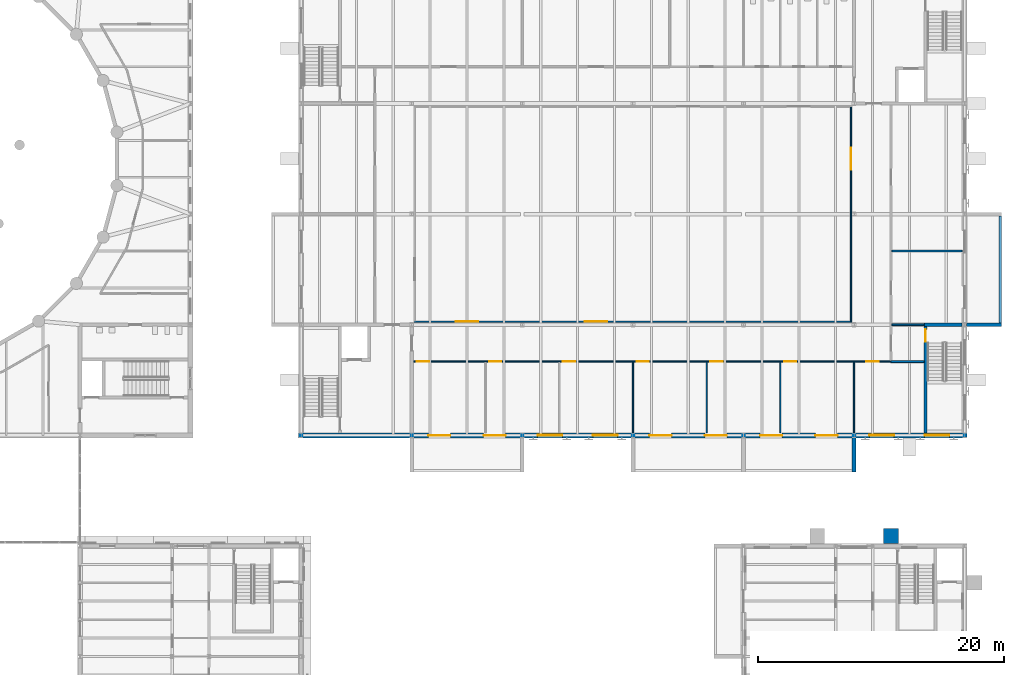
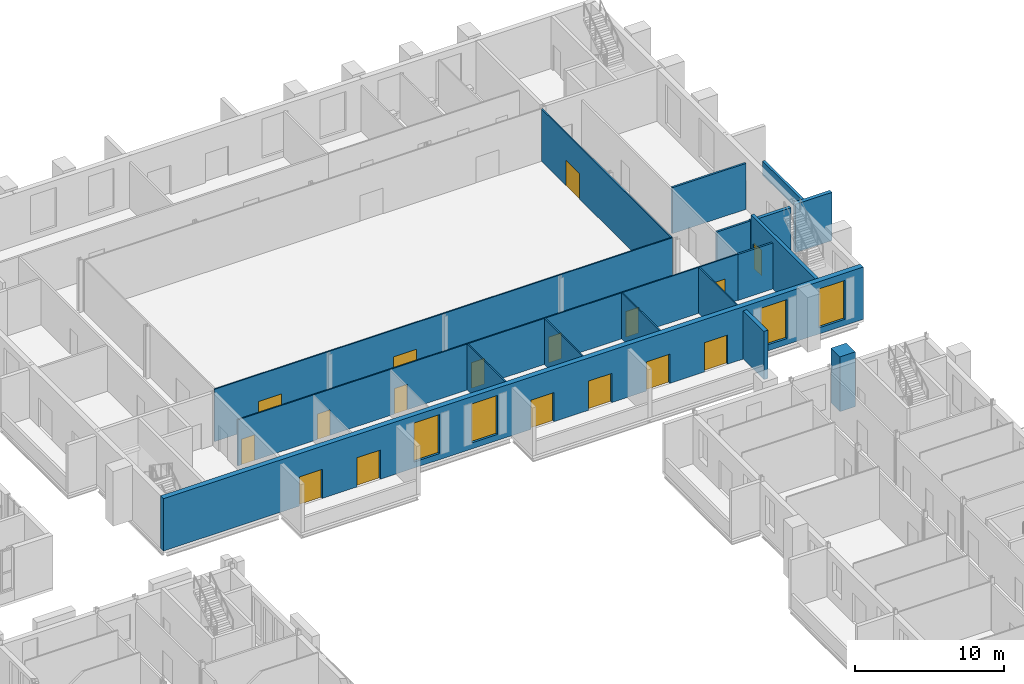
# One storey, part 91 of 134: 17 doors, 17 walls, 4 windows, 21 openings.
"""IFC4 building model written with IfcOpenShell, lengths in metres."""

from ifc_helpers import new_model, si_unit, direction, frame, frame_2d, origin, place, context, subcontext, project, spatial, rectangle, extrude, material, layer, layer_set, type_object, element, fill, save


model = new_model("IFC4")

# Units and contexts
model_context = context("Model", 3, precision=1e-05, world=origin(), true_north=direction((0.0, 1.0)))
body_context = subcontext(model_context, "Body", "Model", "MODEL_VIEW")
ifc_project = project(units=[si_unit("LENGTHUNIT", "METRE"), si_unit("AREAUNIT", "SQUARE_METRE"), si_unit("VOLUMEUNIT", "CUBIC_METRE"), si_unit("PLANEANGLEUNIT", "RADIAN"), si_unit("MASSUNIT", "GRAM", prefix="KILO")], contexts=[model_context])

# Site, building, storey
site_placement = place(None, origin())
site = spatial("IfcSite", under=ifc_project, at=site_placement, CompositionType="ELEMENT")
building_placement = place(site_placement, origin())
building = spatial("IfcBuilding", under=site, at=building_placement, Name="Golden Quay Civic Hall", CompositionType="ELEMENT")
storey_placement = place(building_placement, frame((0.0, 0.0, 5.39990234375)))
storey = spatial("IfcBuildingStorey", under=building, at=storey_placement, Name="L01", CompositionType="ELEMENT", Elevation=5.39990234375)

# Wall
ifc_material_1 = material(Name="Brick, dark clay facing", Category="masonry")
ifc_layer_1 = layer(ifc_material_1, 0.199951171875)
ifc_layer_set_1 = layer_set([ifc_layer_1], Name="Brick balustrade wall 200")
wall_type_1 = type_object("IfcWallType", Name="Brick balustrade wall 200", PredefinedType="STANDARD", material=ifc_layer_set_1)
wall_1_placement = place(storey_placement, frame((173.8798828125, 72.14990234375, 0.0), z_axis=(0.0, 0.0, 1.0), x_axis=(0.0, 1.0, 0.0)))
element("IfcWall", 1, at=wall_1_placement, inside=storey, type_object=wall_type_1, Name="Brick balustrade wall 200 L01 10", PredefinedType="STANDARD", context=body_context, shape_type="SweptSolid", body=[
    extrude(rectangle(XDim=8.7001953125, YDim=0.199951171875, at=frame_2d((4.35009765625, 0.0))), origin(), (0.0, 0.0, 1.0), 1.150146484375),
])

# Wall, openings, doors, windows
ifc_material_2 = material(Name="Brick, dark clay facing", Category="masonry")
ifc_layer_2 = layer(ifc_material_2, 0.39990234375)
ifc_layer_set_2 = layer_set([ifc_layer_2], Name="Brick external wall 400 fire EI 120")
wall_type_2 = type_object("IfcWallType", Name="Brick external wall 400 fire EI 120", PredefinedType="STANDARD", material=ifc_layer_set_2)
wall_2_placement = place(storey_placement, frame((116.800048828125, 63.0, 0.0), z_axis=(0.0, 0.0, 1.0), x_axis=(1.0, 0.0, 0.0)))
wall_2 = element("IfcWall", 2, at=wall_2_placement, inside=storey, type_object=wall_type_2, Name="L01 external wall S", PredefinedType="STANDARD", context=body_context, shape_type="SweptSolid", body=[
    extrude(rectangle(XDim=54.39990234375, YDim=0.39990234375, at=frame_2d((27.199951171875, 0.0))), origin(), (0.0, 0.0, 1.0), 4.300048828125),
])
opening_1_placement = place(wall_2_placement, frame((19.449951171875, 0.0, 0.5)))
opening_1 = element("IfcOpeningElement", 3, at=opening_1_placement, cuts=wall_2, Name="Opening WN19", PredefinedType="OPENING", context=body_context, shape_type="SweptSolid", body=[
    extrude(rectangle(XDim=2.0, YDim=3.199951171875, at=frame_2d((1.0, 1.60009765625))), frame((0.0, 0.2099609375, 0.0), z_axis=(0.0, -1.0, 0.0), x_axis=(1.0, 0.0, 0.0)), (0.0, 0.0, 1.0), 0.419921875),
])
opening_2_placement = place(wall_2_placement, frame((23.949951171875, 0.0, 0.5)))
opening_2 = element("IfcOpeningElement", 4, at=opening_2_placement, cuts=wall_2, Name="Opening WN19", PredefinedType="OPENING", context=body_context, shape_type="SweptSolid", body=[
    extrude(rectangle(XDim=2.0, YDim=3.199951171875, at=frame_2d((1.0, 1.60009765625))), frame((0.0, 0.2099609375, 0.0), z_axis=(0.0, -1.0, 0.0), x_axis=(1.0, 0.0, 0.0)), (0.0, 0.0, 1.0), 0.419921875),
])
opening_3_placement = place(wall_2_placement, frame((46.449951171875, 0.0, 0.5)))
opening_3 = element("IfcOpeningElement", 5, at=opening_3_placement, cuts=wall_2, Name="Opening WN19", PredefinedType="OPENING", context=body_context, shape_type="SweptSolid", body=[
    extrude(rectangle(XDim=2.0, YDim=3.199951171875, at=frame_2d((1.0, 1.60009765625))), frame((0.0, 0.2099609375, 0.0), z_axis=(0.0, -1.0, 0.0), x_axis=(1.0, 0.0, 0.0)), (0.0, 0.0, 1.0), 0.419921875),
])
opening_4_placement = place(wall_2_placement, frame((50.949951171875, 0.0, 0.5)))
opening_4 = element("IfcOpeningElement", 6, at=opening_4_placement, cuts=wall_2, Name="Opening WN19", PredefinedType="OPENING", context=body_context, shape_type="SweptSolid", body=[
    extrude(rectangle(XDim=2.0, YDim=3.199951171875, at=frame_2d((1.0, 1.60009765625))), frame((0.0, 0.2099609375, 0.0), z_axis=(0.0, -1.0, 0.0), x_axis=(1.0, 0.0, 0.0)), (0.0, 0.0, 1.0), 0.419921875),
])
opening_5_placement = place(wall_2_placement, frame((10.550048828125, 0.0, 0.0)))
opening_5 = element("IfcOpeningElement", 7, at=opening_5_placement, cuts=wall_2, Name="Opening L01-D012", PredefinedType="OPENING", context=body_context, shape_type="SweptSolid", body=[
    extrude(rectangle(XDim=1.800048828125, YDim=2.39990234375, at=frame_2d((0.89990234375, 1.199951171875))), frame((0.0, 0.2099609375, 0.0), z_axis=(0.0, -1.0, 0.0), x_axis=(1.0, 0.0, 0.0)), (0.0, 0.0, 1.0), 0.419921875),
])
opening_6_placement = place(wall_2_placement, frame((15.050048828125, 0.0, 0.0)))
opening_6 = element("IfcOpeningElement", 8, at=opening_6_placement, cuts=wall_2, Name="Opening L01-D013", PredefinedType="OPENING", context=body_context, shape_type="SweptSolid", body=[
    extrude(rectangle(XDim=1.800048828125, YDim=2.39990234375, at=frame_2d((0.89990234375, 1.199951171875))), frame((0.0, 0.2099609375, 0.0), z_axis=(0.0, -1.0, 0.0), x_axis=(1.0, 0.0, 0.0)), (0.0, 0.0, 1.0), 0.419921875),
])
opening_7_placement = place(wall_2_placement, frame((28.550048828125, 0.0, 0.0)))
opening_7 = element("IfcOpeningElement", 9, at=opening_7_placement, cuts=wall_2, Name="Opening L01-D014", PredefinedType="OPENING", context=body_context, shape_type="SweptSolid", body=[
    extrude(rectangle(XDim=1.800048828125, YDim=2.39990234375, at=frame_2d((0.89990234375, 1.199951171875))), frame((0.0, 0.2099609375, 0.0), z_axis=(0.0, -1.0, 0.0), x_axis=(1.0, 0.0, 0.0)), (0.0, 0.0, 1.0), 0.419921875),
])
opening_8_placement = place(wall_2_placement, frame((33.050048828125, 0.0, 0.0)))
opening_8 = element("IfcOpeningElement", 10, at=opening_8_placement, cuts=wall_2, Name="Opening L01-D015", PredefinedType="OPENING", context=body_context, shape_type="SweptSolid", body=[
    extrude(rectangle(XDim=1.800048828125, YDim=2.39990234375, at=frame_2d((0.89990234375, 1.199951171875))), frame((0.0, 0.2099609375, 0.0), z_axis=(0.0, -1.0, 0.0), x_axis=(1.0, 0.0, 0.0)), (0.0, 0.0, 1.0), 0.419921875),
])
opening_9_placement = place(wall_2_placement, frame((37.550048828125, 0.0, 0.0)))
opening_9 = element("IfcOpeningElement", 11, at=opening_9_placement, cuts=wall_2, Name="Opening L01-D016", PredefinedType="OPENING", context=body_context, shape_type="SweptSolid", body=[
    extrude(rectangle(XDim=1.800048828125, YDim=2.39990234375, at=frame_2d((0.89990234375, 1.199951171875))), frame((0.0, 0.2099609375, 0.0), z_axis=(0.0, -1.0, 0.0), x_axis=(1.0, 0.0, 0.0)), (0.0, 0.0, 1.0), 0.419921875),
])
opening_10_placement = place(wall_2_placement, frame((42.050048828125, 0.0, 0.0)))
opening_10 = element("IfcOpeningElement", 12, at=opening_10_placement, cuts=wall_2, Name="Opening L01-D017", PredefinedType="OPENING", context=body_context, shape_type="SweptSolid", body=[
    extrude(rectangle(XDim=1.800048828125, YDim=2.39990234375, at=frame_2d((0.89990234375, 1.199951171875))), frame((0.0, 0.2099609375, 0.0), z_axis=(0.0, -1.0, 0.0), x_axis=(1.0, 0.0, 0.0)), (0.0, 0.0, 1.0), 0.419921875),
])
ifc_material_3 = material(Name="Aluminium frame, glazed", Category="aluminium")
door_type_1 = type_object("IfcDoorType", Name="Glazed double terrace door 1800 x 2400", OperationType="DOUBLE_DOOR_SINGLE_SWING", PredefinedType="DOOR", material=ifc_material_3)
door_1_placement = place(opening_5_placement, frame((1.800048828125, 0.0, 0.0), z_axis=(0.0, 0.0, 1.0), x_axis=(-1.0, 0.0, 0.0)))
door_1 = element("IfcDoor", 13, at=door_1_placement, inside=storey, type_object=door_type_1, Name="Loggia door L01 S112", OperationType="DOUBLE_DOOR_SINGLE_SWING", OverallHeight=2.39990234375, OverallWidth=1.800048828125, PredefinedType="DOOR", context=body_context, shape_type="SweptSolid", body=[
    extrude(rectangle(XDim=1.800048828125, YDim=2.39990234375, at=frame_2d((0.900146484375, 1.199951171875))), frame((0.0, 0.025146484375, 0.0), z_axis=(0.0, -1.0, 0.0), x_axis=(1.0, 0.0, 0.0)), (0.0, 0.0, 1.0), 0.050048828125),
])
fill(opening_5, door_1)
door_2_placement = place(opening_6_placement, frame((1.800048828125, 0.0, 0.0), z_axis=(0.0, 0.0, 1.0), x_axis=(-1.0, 0.0, 0.0)))
door_2 = element("IfcDoor", 14, at=door_2_placement, inside=storey, type_object=door_type_1, Name="Loggia door L01 S157", OperationType="DOUBLE_DOOR_SINGLE_SWING", OverallHeight=2.39990234375, OverallWidth=1.800048828125, PredefinedType="DOOR", context=body_context, shape_type="SweptSolid", body=[
    extrude(rectangle(XDim=1.800048828125, YDim=2.39990234375, at=frame_2d((0.900146484375, 1.199951171875))), frame((0.0, 0.025146484375, 0.0), z_axis=(0.0, -1.0, 0.0), x_axis=(1.0, 0.0, 0.0)), (0.0, 0.0, 1.0), 0.050048828125),
])
fill(opening_6, door_2)
door_3_placement = place(opening_7_placement, frame((1.800048828125, 0.0, 0.0), z_axis=(0.0, 0.0, 1.0), x_axis=(-1.0, 0.0, 0.0)))
door_3 = element("IfcDoor", 15, at=door_3_placement, inside=storey, type_object=door_type_1, Name="Loggia door L01 S292", OperationType="DOUBLE_DOOR_SINGLE_SWING", OverallHeight=2.39990234375, OverallWidth=1.800048828125, PredefinedType="DOOR", context=body_context, shape_type="SweptSolid", body=[
    extrude(rectangle(XDim=1.800048828125, YDim=2.39990234375, at=frame_2d((0.900146484375, 1.199951171875))), frame((0.0, 0.025146484375, 0.0), z_axis=(0.0, -1.0, 0.0), x_axis=(1.0, 0.0, 0.0)), (0.0, 0.0, 1.0), 0.050048828125),
])
fill(opening_7, door_3)
door_4_placement = place(opening_8_placement, frame((1.800048828125, 0.0, 0.0), z_axis=(0.0, 0.0, 1.0), x_axis=(-1.0, 0.0, 0.0)))
door_4 = element("IfcDoor", 16, at=door_4_placement, inside=storey, type_object=door_type_1, Name="Loggia door L01 S337", OperationType="DOUBLE_DOOR_SINGLE_SWING", OverallHeight=2.39990234375, OverallWidth=1.800048828125, PredefinedType="DOOR", context=body_context, shape_type="SweptSolid", body=[
    extrude(rectangle(XDim=1.800048828125, YDim=2.39990234375, at=frame_2d((0.900146484375, 1.199951171875))), frame((0.0, 0.025146484375, 0.0), z_axis=(0.0, -1.0, 0.0), x_axis=(1.0, 0.0, 0.0)), (0.0, 0.0, 1.0), 0.050048828125),
])
fill(opening_8, door_4)
door_5_placement = place(opening_9_placement, frame((1.800048828125, 0.0, 0.0), z_axis=(0.0, 0.0, 1.0), x_axis=(-1.0, 0.0, 0.0)))
door_5 = element("IfcDoor", 17, at=door_5_placement, inside=storey, type_object=door_type_1, Name="Loggia door L01 S382", OperationType="DOUBLE_DOOR_SINGLE_SWING", OverallHeight=2.39990234375, OverallWidth=1.800048828125, PredefinedType="DOOR", context=body_context, shape_type="SweptSolid", body=[
    extrude(rectangle(XDim=1.800048828125, YDim=2.39990234375, at=frame_2d((0.900146484375, 1.199951171875))), frame((0.0, 0.025146484375, 0.0), z_axis=(0.0, -1.0, 0.0), x_axis=(1.0, 0.0, 0.0)), (0.0, 0.0, 1.0), 0.050048828125),
])
fill(opening_9, door_5)
door_6_placement = place(opening_10_placement, frame((1.800048828125, 0.0, 0.0), z_axis=(0.0, 0.0, 1.0), x_axis=(-1.0, 0.0, 0.0)))
door_6 = element("IfcDoor", 18, at=door_6_placement, inside=storey, type_object=door_type_1, Name="Loggia door L01 S427", OperationType="DOUBLE_DOOR_SINGLE_SWING", OverallHeight=2.39990234375, OverallWidth=1.800048828125, PredefinedType="DOOR", context=body_context, shape_type="SweptSolid", body=[
    extrude(rectangle(XDim=1.800048828125, YDim=2.39990234375, at=frame_2d((0.900146484375, 1.199951171875))), frame((0.0, 0.025146484375, 0.0), z_axis=(0.0, -1.0, 0.0), x_axis=(1.0, 0.0, 0.0)), (0.0, 0.0, 1.0), 0.050048828125),
])
fill(opening_10, door_6)
ifc_material_4 = material(Name="Timber", Category="wood")
window_type = type_object("IfcWindowType", Name="Tall timber window 2000 x 3200", PartitioningType="SINGLE_PANEL", PredefinedType="WINDOW", material=ifc_material_4)
window_1_placement = place(opening_1_placement, origin())
window_1 = element("IfcWindow", 19, at=window_1_placement, inside=storey, type_object=window_type, Name="L01 window S202", OverallHeight=3.199951171875, OverallWidth=2.0, PartitioningType="SINGLE_PANEL", PredefinedType="WINDOW", context=body_context, shape_type="SweptSolid", body=[
    extrude(rectangle(XDim=2.0, YDim=3.199951171875, at=frame_2d((1.0, 1.60009765625))), frame((0.0, 0.030029296875, 0.0), z_axis=(0.0, -1.0, 0.0), x_axis=(1.0, 0.0, 0.0)), (0.0, 0.0, 1.0), 0.06005859375),
])
fill(opening_1, window_1)
window_2_placement = place(opening_2_placement, origin())
window_2 = element("IfcWindow", 20, at=window_2_placement, inside=storey, type_object=window_type, Name="L01 window S247", OverallHeight=3.199951171875, OverallWidth=2.0, PartitioningType="SINGLE_PANEL", PredefinedType="WINDOW", context=body_context, shape_type="SweptSolid", body=[
    extrude(rectangle(XDim=2.0, YDim=3.199951171875, at=frame_2d((1.0, 1.60009765625))), frame((0.0, 0.030029296875, 0.0), z_axis=(0.0, -1.0, 0.0), x_axis=(1.0, 0.0, 0.0)), (0.0, 0.0, 1.0), 0.06005859375),
])
fill(opening_2, window_2)
window_3_placement = place(opening_3_placement, origin())
window_3 = element("IfcWindow", 21, at=window_3_placement, inside=storey, type_object=window_type, Name="L01 window S472", OverallHeight=3.199951171875, OverallWidth=2.0, PartitioningType="SINGLE_PANEL", PredefinedType="WINDOW", context=body_context, shape_type="SweptSolid", body=[
    extrude(rectangle(XDim=2.0, YDim=3.199951171875, at=frame_2d((1.0, 1.60009765625))), frame((0.0, 0.030029296875, 0.0), z_axis=(0.0, -1.0, 0.0), x_axis=(1.0, 0.0, 0.0)), (0.0, 0.0, 1.0), 0.06005859375),
])
fill(opening_3, window_3)
window_4_placement = place(opening_4_placement, origin())
window_4 = element("IfcWindow", 22, at=window_4_placement, inside=storey, type_object=window_type, Name="L01 window S517", OverallHeight=3.199951171875, OverallWidth=2.0, PartitioningType="SINGLE_PANEL", PredefinedType="WINDOW", context=body_context, shape_type="SweptSolid", body=[
    extrude(rectangle(XDim=2.0, YDim=3.199951171875, at=frame_2d((1.0, 1.60009765625))), frame((0.0, 0.030029296875, 0.0), z_axis=(0.0, -1.0, 0.0), x_axis=(1.0, 0.0, 0.0)), (0.0, 0.0, 1.0), 0.06005859375),
])
fill(opening_4, window_4)

# Walls
ifc_material_5 = material(Name="Brick, dark clay facing", Category="masonry")
ifc_layer_3 = layer(ifc_material_5, 0.300048828125)
ifc_layer_set_3 = layer_set([ifc_layer_3], Name="Brick loggia wall 300")
wall_type_3 = type_object("IfcWallType", Name="Brick loggia wall 300", PredefinedType="STANDARD", material=ifc_layer_set_3)
wall_3_placement = place(storey_placement, frame((162.0, 62.820068359375, 0.0), z_axis=(0.0, 0.0, 1.0), x_axis=(0.0, -1.0, 0.0)))
element("IfcWall", 23, at=wall_3_placement, inside=storey, type_object=wall_type_3, Name="Brick loggia wall 300 L01 15", PredefinedType="STANDARD", context=body_context, shape_type="SweptSolid", body=[
    extrude(rectangle(XDim=2.820068359375, YDim=0.300048828125, at=frame_2d((1.41015625, 0.0))), origin(), (0.0, 0.0, 1.0), 3.97021484375),
])
wall_4_placement = place(storey_placement, frame((171.14990234375, 72.0, 0.0), z_axis=(0.0, 0.0, 1.0), x_axis=(1.0, 0.0, 0.0)))
element("IfcWall", 24, at=wall_4_placement, inside=storey, type_object=wall_type_3, Name="Brick loggia wall 300 L01 16", PredefinedType="STANDARD", context=body_context, shape_type="SweptSolid", body=[
    extrude(rectangle(XDim=2.85009765625, YDim=0.300048828125, at=frame_2d((1.425048828125, 0.0))), origin(), (0.0, 0.0, 1.0), 3.97021484375),
])
ifc_material_6 = material(Name="Brick, dark clay facing", Category="masonry")
ifc_layer_4 = layer(ifc_material_6, 1.199951171875)
ifc_layer_set_4 = layer_set([ifc_layer_4], Name="Brick pilaster 1200 x 1200")
wall_type_4 = type_object("IfcWallType", Name="Brick pilaster 1200 x 1200", PredefinedType="STANDARD", material=ifc_layer_set_4)
wall_5_placement = place(storey_placement, frame((164.39990234375, 54.800048828125, 0.0), z_axis=(0.0, 0.0, 1.0), x_axis=(1.0, 0.0, 0.0)))
element("IfcWall", 25, at=wall_5_placement, inside=storey, type_object=wall_type_4, Name="Brick pilaster 1200 x 1200 L01 11", PredefinedType="STANDARD", context=body_context, shape_type="SweptSolid", body=[
    extrude(rectangle(XDim=1.2001953125, YDim=1.199951171875, at=frame_2d((0.60009765625, 0.0))), origin(), (0.0, 0.0, 1.0), 4.5),
])

# Wall, opening, door
ifc_material_7 = material(Name="Concrete C40/50", Category="concrete")
ifc_layer_5 = layer(ifc_material_7, 0.25)
ifc_layer_set_5 = layer_set([ifc_layer_5], Name="Concrete core wall 250, Concrete C40/50")
wall_type_5 = type_object("IfcWallType", Name="Concrete core wall 250", PredefinedType="SHEAR", material=ifc_layer_set_5)
wall_6_placement = place(storey_placement, frame((167.824951171875, 71.875, 0.0), z_axis=(0.0, 0.0, 1.0), x_axis=(0.0, -1.0, 0.0)))
wall_6 = element("IfcWall", 26, at=wall_6_placement, inside=storey, type_object=wall_type_5, Name="L01 core wall S stair east", PredefinedType="SHEAR", context=body_context, shape_type="SweptSolid", body=[
    extrude(rectangle(XDim=8.675048828125, YDim=0.25, at=frame_2d((4.33740234375, 0.0))), origin(), (0.0, 0.0, 1.0), 4.300048828125),
])
opening_11_placement = place(wall_6_placement, frame((0.25, 0.0, 0.0)))
opening_11 = element("IfcOpeningElement", 27, at=opening_11_placement, cuts=wall_6, Name="Opening L01-D223", PredefinedType="OPENING", context=body_context, shape_type="SweptSolid", body=[
    extrude(rectangle(XDim=1.0, YDim=2.10009765625, at=frame_2d((0.5, 1.050048828125))), frame((0.0, 0.135009765625, 0.0), z_axis=(0.0, -1.0, 0.0), x_axis=(1.0, 0.0, 0.0)), (0.0, 0.0, 1.0), 0.27001953125),
])
ifc_material_8 = material(Name="Steel", Category="steel")
door_type_2 = type_object("IfcDoorType", Name="Steel fire door FD60 1000 x 2100", OperationType="SINGLE_SWING_LEFT", PredefinedType="DOOR", material=ifc_material_8)
door_7_placement = place(opening_11_placement, frame((1.0, 0.0, 0.0), z_axis=(0.0, 0.0, 1.0), x_axis=(-1.0, 0.0, 0.0)))
door_7 = element("IfcDoor", 28, at=door_7_placement, inside=storey, type_object=door_type_2, Name="Stair door LB-S", OperationType="SINGLE_SWING_RIGHT", OverallHeight=2.10009765625, OverallWidth=1.0, PredefinedType="DOOR", context=body_context, shape_type="SweptSolid", body=[
    extrude(rectangle(XDim=1.0, YDim=2.10009765625, at=frame_2d((0.5, 1.050048828125))), frame((0.0, 0.025146484375, 0.0), z_axis=(0.0, -1.0, 0.0), x_axis=(1.0, 0.0, 0.0)), (0.0, 0.0, 1.0), 0.050048828125),
])
fill(opening_11, door_7)

# Wall
wall_7_placement = place(storey_placement, frame((170.800048828125, 72.0, 0.0), z_axis=(0.0, 0.0, 1.0), x_axis=(-1.0, 0.0, 0.0)))
element("IfcWall", 29, at=wall_7_placement, inside=storey, type_object=wall_type_5, Name="L01 core wall S stair south", PredefinedType="SHEAR", context=body_context, shape_type="SweptSolid", body=[
    extrude(rectangle(XDim=3.10009765625, YDim=0.25, at=frame_2d((1.550048828125, 0.0))), origin(), (0.0, 0.0, 1.0), 3.800048828125),
])

# Wall, openings, doors
ifc_material_9 = material(Name="Plasterboard on steel studs", Category="steel")
ifc_layer_6 = layer(ifc_material_9, 0.10009765625)
ifc_layer_set_6 = layer_set([ifc_layer_6], Name="Partition 100 stud")
wall_type_6 = type_object("IfcWallType", Name="Partition 100 stud", PredefinedType="PARTITIONING", material=ifc_layer_set_6)
wall_8_placement = place(storey_placement, frame((126.125, 69.0, 0.0), z_axis=(0.0, 0.0, 1.0), x_axis=(1.0, 0.0, 0.0)))
wall_8 = element("IfcWall", 30, at=wall_8_placement, inside=storey, type_object=wall_type_6, Name="L01 partition H6-9.12", PredefinedType="PARTITIONING", context=body_context, shape_type="SweptSolid", body=[
    extrude(rectangle(XDim=38.875, YDim=0.10009765625, at=frame_2d((19.4375, 0.0))), origin(), (0.0, 0.0, 1.0), 3.780029296875),
])
opening_12_placement = place(wall_8_placement, frame((0.300048828125, 0.0, 0.0)))
opening_12 = element("IfcOpeningElement", 31, at=opening_12_placement, cuts=wall_8, Name="Opening L01-D189", PredefinedType="OPENING", context=body_context, shape_type="SweptSolid", body=[
    extrude(rectangle(XDim=1.0, YDim=2.10009765625, at=frame_2d((0.5, 1.050048828125))), frame((0.0, 0.06005859375, 0.0), z_axis=(0.0, -1.0, 0.0), x_axis=(1.0, 0.0, 0.0)), (0.0, 0.0, 1.0), 0.1201171875),
])
opening_13_placement = place(wall_8_placement, frame((6.175048828125, 0.0, 0.0)))
opening_13 = element("IfcOpeningElement", 32, at=opening_13_placement, cuts=wall_8, Name="Opening L01-D190", PredefinedType="OPENING", context=body_context, shape_type="SweptSolid", body=[
    extrude(rectangle(XDim=1.0, YDim=2.10009765625, at=frame_2d((0.5, 1.050048828125))), frame((0.0, 0.06005859375, 0.0), z_axis=(0.0, -1.0, 0.0), x_axis=(1.0, 0.0, 0.0)), (0.0, 0.0, 1.0), 0.1201171875),
])
opening_14_placement = place(wall_8_placement, frame((12.175048828125, 0.0, 0.0)))
opening_14 = element("IfcOpeningElement", 33, at=opening_14_placement, cuts=wall_8, Name="Opening L01-D191", PredefinedType="OPENING", context=body_context, shape_type="SweptSolid", body=[
    extrude(rectangle(XDim=1.0, YDim=2.10009765625, at=frame_2d((0.5, 1.050048828125))), frame((0.0, 0.06005859375, 0.0), z_axis=(0.0, -1.0, 0.0), x_axis=(1.0, 0.0, 0.0)), (0.0, 0.0, 1.0), 0.1201171875),
])
opening_15_placement = place(wall_8_placement, frame((18.175048828125, 0.0, 0.0)))
opening_15 = element("IfcOpeningElement", 34, at=opening_15_placement, cuts=wall_8, Name="Opening L01-D192", PredefinedType="OPENING", context=body_context, shape_type="SweptSolid", body=[
    extrude(rectangle(XDim=1.0, YDim=2.10009765625, at=frame_2d((0.5, 1.050048828125))), frame((0.0, 0.06005859375, 0.0), z_axis=(0.0, -1.0, 0.0), x_axis=(1.0, 0.0, 0.0)), (0.0, 0.0, 1.0), 0.1201171875),
])
opening_16_placement = place(wall_8_placement, frame((24.175048828125, 0.0, 0.0)))
opening_16 = element("IfcOpeningElement", 35, at=opening_16_placement, cuts=wall_8, Name="Opening L01-D193", PredefinedType="OPENING", context=body_context, shape_type="SweptSolid", body=[
    extrude(rectangle(XDim=1.0, YDim=2.10009765625, at=frame_2d((0.5, 1.050048828125))), frame((0.0, 0.06005859375, 0.0), z_axis=(0.0, -1.0, 0.0), x_axis=(1.0, 0.0, 0.0)), (0.0, 0.0, 1.0), 0.1201171875),
])
opening_17_placement = place(wall_8_placement, frame((30.175048828125, 0.0, 0.0)))
opening_17 = element("IfcOpeningElement", 36, at=opening_17_placement, cuts=wall_8, Name="Opening L01-D194", PredefinedType="OPENING", context=body_context, shape_type="SweptSolid", body=[
    extrude(rectangle(XDim=1.0, YDim=2.10009765625, at=frame_2d((0.5, 1.050048828125))), frame((0.0, 0.06005859375, 0.0), z_axis=(0.0, -1.0, 0.0), x_axis=(1.0, 0.0, 0.0)), (0.0, 0.0, 1.0), 0.1201171875),
])
opening_18_placement = place(wall_8_placement, frame((36.875, 0.0, 0.0)))
opening_18 = element("IfcOpeningElement", 37, at=opening_18_placement, cuts=wall_8, Name="Opening L01-D195", PredefinedType="OPENING", context=body_context, shape_type="SweptSolid", body=[
    extrude(rectangle(XDim=1.0, YDim=2.10009765625, at=frame_2d((0.5, 1.050048828125))), frame((0.0, 0.06005859375, 0.0), z_axis=(0.0, -1.0, 0.0), x_axis=(1.0, 0.0, 0.0)), (0.0, 0.0, 1.0), 0.1201171875),
])
ifc_material_10 = material(Name="Timber", Category="wood")
door_type_3 = type_object("IfcDoorType", Name="Timber door 1000 x 2100", OperationType="SINGLE_SWING_LEFT", PredefinedType="DOOR", material=ifc_material_10)
door_8_placement = place(opening_12_placement, frame((1.0, 0.0, 0.0), z_axis=(0.0, 0.0, 1.0), x_axis=(-1.0, 0.0, 0.0)))
door_8 = element("IfcDoor", 38, at=door_8_placement, inside=storey, type_object=door_type_3, Name="Study Room door", OperationType="SINGLE_SWING_RIGHT", OverallHeight=2.10009765625, OverallWidth=1.0, PredefinedType="DOOR", context=body_context, shape_type="SweptSolid", body=[
    extrude(rectangle(XDim=1.0, YDim=2.10009765625, at=frame_2d((0.5, 1.050048828125))), frame((0.0, 0.025146484375, 0.0), z_axis=(0.0, -1.0, 0.0), x_axis=(1.0, 0.0, 0.0)), (0.0, 0.0, 1.0), 0.050048828125),
])
fill(opening_12, door_8)
door_9_placement = place(opening_13_placement, frame((1.0, 0.0, 0.0), z_axis=(0.0, 0.0, 1.0), x_axis=(-1.0, 0.0, 0.0)))
door_9 = element("IfcDoor", 39, at=door_9_placement, inside=storey, type_object=door_type_3, Name="Study Room door", OperationType="SINGLE_SWING_RIGHT", OverallHeight=2.10009765625, OverallWidth=1.0, PredefinedType="DOOR", context=body_context, shape_type="SweptSolid", body=[
    extrude(rectangle(XDim=1.0, YDim=2.10009765625, at=frame_2d((0.5, 1.050048828125))), frame((0.0, 0.025146484375, 0.0), z_axis=(0.0, -1.0, 0.0), x_axis=(1.0, 0.0, 0.0)), (0.0, 0.0, 1.0), 0.050048828125),
])
fill(opening_13, door_9)
door_10_placement = place(opening_14_placement, frame((1.0, 0.0, 0.0), z_axis=(0.0, 0.0, 1.0), x_axis=(-1.0, 0.0, 0.0)))
door_10 = element("IfcDoor", 40, at=door_10_placement, inside=storey, type_object=door_type_3, Name="Study Room door", OperationType="SINGLE_SWING_RIGHT", OverallHeight=2.10009765625, OverallWidth=1.0, PredefinedType="DOOR", context=body_context, shape_type="SweptSolid", body=[
    extrude(rectangle(XDim=1.0, YDim=2.10009765625, at=frame_2d((0.5, 1.050048828125))), frame((0.0, 0.025146484375, 0.0), z_axis=(0.0, -1.0, 0.0), x_axis=(1.0, 0.0, 0.0)), (0.0, 0.0, 1.0), 0.050048828125),
])
fill(opening_14, door_10)
door_11_placement = place(opening_15_placement, frame((1.0, 0.0, 0.0), z_axis=(0.0, 0.0, 1.0), x_axis=(-1.0, 0.0, 0.0)))
door_11 = element("IfcDoor", 41, at=door_11_placement, inside=storey, type_object=door_type_3, Name="Study Room door", OperationType="SINGLE_SWING_RIGHT", OverallHeight=2.10009765625, OverallWidth=1.0, PredefinedType="DOOR", context=body_context, shape_type="SweptSolid", body=[
    extrude(rectangle(XDim=1.0, YDim=2.10009765625, at=frame_2d((0.5, 1.050048828125))), frame((0.0, 0.025146484375, 0.0), z_axis=(0.0, -1.0, 0.0), x_axis=(1.0, 0.0, 0.0)), (0.0, 0.0, 1.0), 0.050048828125),
])
fill(opening_15, door_11)
door_12_placement = place(opening_16_placement, frame((1.0, 0.0, 0.0), z_axis=(0.0, 0.0, 1.0), x_axis=(-1.0, 0.0, 0.0)))
door_12 = element("IfcDoor", 42, at=door_12_placement, inside=storey, type_object=door_type_3, Name="Study Room door", OperationType="SINGLE_SWING_RIGHT", OverallHeight=2.10009765625, OverallWidth=1.0, PredefinedType="DOOR", context=body_context, shape_type="SweptSolid", body=[
    extrude(rectangle(XDim=1.0, YDim=2.10009765625, at=frame_2d((0.5, 1.050048828125))), frame((0.0, 0.025146484375, 0.0), z_axis=(0.0, -1.0, 0.0), x_axis=(1.0, 0.0, 0.0)), (0.0, 0.0, 1.0), 0.050048828125),
])
fill(opening_16, door_12)
door_13_placement = place(opening_17_placement, frame((1.0, 0.0, 0.0), z_axis=(0.0, 0.0, 1.0), x_axis=(-1.0, 0.0, 0.0)))
door_13 = element("IfcDoor", 43, at=door_13_placement, inside=storey, type_object=door_type_3, Name="Study Room door", OperationType="SINGLE_SWING_RIGHT", OverallHeight=2.10009765625, OverallWidth=1.0, PredefinedType="DOOR", context=body_context, shape_type="SweptSolid", body=[
    extrude(rectangle(XDim=1.0, YDim=2.10009765625, at=frame_2d((0.5, 1.050048828125))), frame((0.0, 0.025146484375, 0.0), z_axis=(0.0, -1.0, 0.0), x_axis=(1.0, 0.0, 0.0)), (0.0, 0.0, 1.0), 0.050048828125),
])
fill(opening_17, door_13)
door_14_placement = place(opening_18_placement, frame((1.0, 0.0, 0.0), z_axis=(0.0, 0.0, 1.0), x_axis=(-1.0, 0.0, 0.0)))
door_14 = element("IfcDoor", 44, at=door_14_placement, inside=storey, type_object=door_type_3, Name="Library Office door", OperationType="SINGLE_SWING_RIGHT", OverallHeight=2.10009765625, OverallWidth=1.0, PredefinedType="DOOR", context=body_context, shape_type="SweptSolid", body=[
    extrude(rectangle(XDim=1.0, YDim=2.10009765625, at=frame_2d((0.5, 1.050048828125))), frame((0.0, 0.025146484375, 0.0), z_axis=(0.0, -1.0, 0.0), x_axis=(1.0, 0.0, 0.0)), (0.0, 0.0, 1.0), 0.050048828125),
])
fill(opening_18, door_14)

# Walls
for number, where, z_axis, x_axis, name in (
    (45, (144.0, 63.199951171875, 0.0), (0.0, 0.0, 1.0), (0.0, 1.0, 0.0), "L01 partition V27-0.20"),
    (46, (150.0, 63.199951171875, 0.0), (0.0, 0.0, 1.0), (0.0, 1.0, 0.0), "L01 partition V33-0.20"),
    (47, (156.0, 63.199951171875, 0.0), (0.0, 0.0, 1.0), (0.0, 1.0, 0.0), "L01 partition V39-0.20"),
    (48, (162.0, 63.199951171875, 0.0), (0.0, 0.0, 1.0), (0.0, 1.0, 0.0), "L01 partition V45-0.20"),
):
    element("IfcWall", number, at=place(storey_placement, frame(where, z_axis=z_axis, x_axis=x_axis)), inside=storey, type_object=wall_type_6, Name=name, PredefinedType="PARTITIONING", context=body_context, shape_type="SweptSolid", body=[
        extrude(rectangle(XDim=5.75, YDim=0.10009765625, at=frame_2d((2.875, 0.0))), origin(), (0.0, 0.0, 1.0), 3.780029296875),
    ])

# Wall, openings, doors
wall_9_placement = place(storey_placement, frame((126.199951171875, 72.25, 0.0), z_axis=(0.0, 0.0, 1.0), x_axis=(1.0, 0.0, 0.0)))
wall_9 = element("IfcWall", 49, at=wall_9_placement, inside=storey, type_object=wall_type_6, Name="L01 reading room wall S", PredefinedType="PARTITIONING", context=body_context, shape_type="SweptSolid", body=[
    extrude(rectangle(XDim=35.60009765625, YDim=0.10009765625, at=frame_2d((17.800048828125, 0.0))), origin(), (0.0, 0.0, 1.0), 4.300048828125),
])
opening_19_placement = place(wall_9_placement, frame((3.39990234375, 0.0, 0.0)))
opening_19 = element("IfcOpeningElement", 50, at=opening_19_placement, cuts=wall_9, Name="Opening L01-D208", PredefinedType="OPENING", context=body_context, shape_type="SweptSolid", body=[
    extrude(rectangle(XDim=1.800048828125, YDim=2.10009765625, at=frame_2d((0.89990234375, 1.050048828125))), frame((0.0, 0.06005859375, 0.0), z_axis=(0.0, -1.0, 0.0), x_axis=(1.0, 0.0, 0.0)), (0.0, 0.0, 1.0), 0.1201171875),
])
opening_20_placement = place(wall_9_placement, frame((13.89990234375, 0.0, 0.0)))
opening_20 = element("IfcOpeningElement", 51, at=opening_20_placement, cuts=wall_9, Name="Opening L01-D209", PredefinedType="OPENING", context=body_context, shape_type="SweptSolid", body=[
    extrude(rectangle(XDim=1.800048828125, YDim=2.10009765625, at=frame_2d((0.89990234375, 1.050048828125))), frame((0.0, 0.06005859375, 0.0), z_axis=(0.0, -1.0, 0.0), x_axis=(1.0, 0.0, 0.0)), (0.0, 0.0, 1.0), 0.1201171875),
])
ifc_material_11 = material(Name="Timber", Category="wood")
door_type_4 = type_object("IfcDoorType", Name="Timber double door 1800 x 2100", OperationType="NOTDEFINED", PredefinedType="DOOR", material=ifc_material_11)
door_15_placement = place(opening_19_placement, origin())
door_15 = element("IfcDoor", 52, at=door_15_placement, inside=storey, type_object=door_type_4, Name="Reading Room door", OperationType="DOUBLE_DOOR_SINGLE_SWING", OverallHeight=2.10009765625, OverallWidth=1.800048828125, PredefinedType="DOOR", context=body_context, shape_type="SweptSolid", body=[
    extrude(rectangle(XDim=1.800048828125, YDim=2.10009765625, at=frame_2d((0.89990234375, 1.050048828125))), frame((0.0, 0.02490234375, 0.0), z_axis=(0.0, -1.0, 0.0), x_axis=(1.0, 0.0, 0.0)), (0.0, 0.0, 1.0), 0.050048828125),
])
fill(opening_19, door_15)
door_16_placement = place(opening_20_placement, origin())
door_16 = element("IfcDoor", 53, at=door_16_placement, inside=storey, type_object=door_type_4, Name="Reading Room door", OperationType="DOUBLE_DOOR_SINGLE_SWING", OverallHeight=2.10009765625, OverallWidth=1.800048828125, PredefinedType="DOOR", context=body_context, shape_type="SweptSolid", body=[
    extrude(rectangle(XDim=1.800048828125, YDim=2.10009765625, at=frame_2d((0.89990234375, 1.050048828125))), frame((0.0, 0.02490234375, 0.0), z_axis=(0.0, -1.0, 0.0), x_axis=(1.0, 0.0, 0.0)), (0.0, 0.0, 1.0), 0.050048828125),
])
fill(opening_20, door_16)

# Wall, opening, door
wall_10_placement = place(storey_placement, frame((161.75, 72.300048828125, 0.0), z_axis=(0.0, 0.0, 1.0), x_axis=(0.0, 1.0, 0.0)))
wall_10 = element("IfcWall", 54, at=wall_10_placement, inside=storey, type_object=wall_type_6, Name="L01 reading room wall E", PredefinedType="PARTITIONING", context=body_context, shape_type="SweptSolid", body=[
    extrude(rectangle(XDim=17.39990234375, YDim=0.10009765625, at=frame_2d((8.699951171875, 0.0))), origin(), (0.0, 0.0, 1.0), 4.300048828125),
])
opening_21_placement = place(wall_10_placement, frame((12.300048828125, 0.0, 0.0)))
opening_21 = element("IfcOpeningElement", 55, at=opening_21_placement, cuts=wall_10, Name="Opening L01-D213", PredefinedType="OPENING", context=body_context, shape_type="SweptSolid", body=[
    extrude(rectangle(XDim=1.800048828125, YDim=2.10009765625, at=frame_2d((0.89990234375, 1.050048828125))), frame((0.0, 0.06005859375, 0.0), z_axis=(0.0, -1.0, 0.0), x_axis=(1.0, 0.0, 0.0)), (0.0, 0.0, 1.0), 0.1201171875),
])
door_17_placement = place(opening_21_placement, origin())
door_17 = element("IfcDoor", 56, at=door_17_placement, inside=storey, type_object=door_type_4, Name="Reading Room door", OperationType="DOUBLE_DOOR_SINGLE_SWING", OverallHeight=2.10009765625, OverallWidth=1.800048828125, PredefinedType="DOOR", context=body_context, shape_type="SweptSolid", body=[
    extrude(rectangle(XDim=1.800048828125, YDim=2.10009765625, at=frame_2d((0.89990234375, 1.050048828125))), frame((0.0, 0.02490234375, 0.0), z_axis=(0.0, -1.0, 0.0), x_axis=(1.0, 0.0, 0.0)), (0.0, 0.0, 1.0), 0.050048828125),
])
fill(opening_21, door_17)

# Walls
ifc_material_12 = material(Name="Plasterboard on steel studs", Category="steel")
ifc_layer_7 = layer(ifc_material_12, 0.14990234375)
ifc_layer_set_7 = layer_set([ifc_layer_7], Name="Partition 150 stud fire EI 60")
wall_type_7 = type_object("IfcWallType", Name="Partition 150 stud fire EI 60", PredefinedType="PARTITIONING", material=ifc_layer_set_7)
wall_11_placement = place(storey_placement, frame((165.0, 69.0, 0.0), z_axis=(0.0, 0.0, 1.0), x_axis=(1.0, 0.0, 0.0)))
element("IfcWall", 57, at=wall_11_placement, inside=storey, type_object=wall_type_7, Name="L01 partition H6-48.00", PredefinedType="PARTITIONING", context=body_context, shape_type="SweptSolid", body=[
    extrude(rectangle(XDim=2.699951171875, YDim=0.14990234375, at=frame_2d((1.35009765625, 0.0))), origin(), (0.0, 0.0, 1.0), 3.780029296875),
])
wall_12_placement = place(storey_placement, frame((165.074951171875, 72.0, 0.0), z_axis=(0.0, 0.0, 1.0), x_axis=(1.0, 0.0, 0.0)))
element("IfcWall", 58, at=wall_12_placement, inside=storey, type_object=wall_type_7, Name="L01 partition H9-48.08", PredefinedType="PARTITIONING", context=body_context, shape_type="SweptSolid", body=[
    extrude(rectangle(XDim=2.625, YDim=0.14990234375, at=frame_2d((1.3125, 0.0))), origin(), (0.0, 0.0, 1.0), 3.780029296875),
])
wall_13_placement = place(storey_placement, frame((165.074951171875, 78.0, 0.0), z_axis=(0.0, 0.0, 1.0), x_axis=(1.0, 0.0, 0.0)))
element("IfcWall", 59, at=wall_13_placement, inside=storey, type_object=wall_type_7, Name="L01 partition H15-48.08", PredefinedType="PARTITIONING", context=body_context, shape_type="SweptSolid", body=[
    extrude(rectangle(XDim=5.72509765625, YDim=0.14990234375, at=frame_2d((2.862548828125, 0.0))), origin(), (0.0, 0.0, 1.0), 3.780029296875),
])

save(model, "model.ifc")
